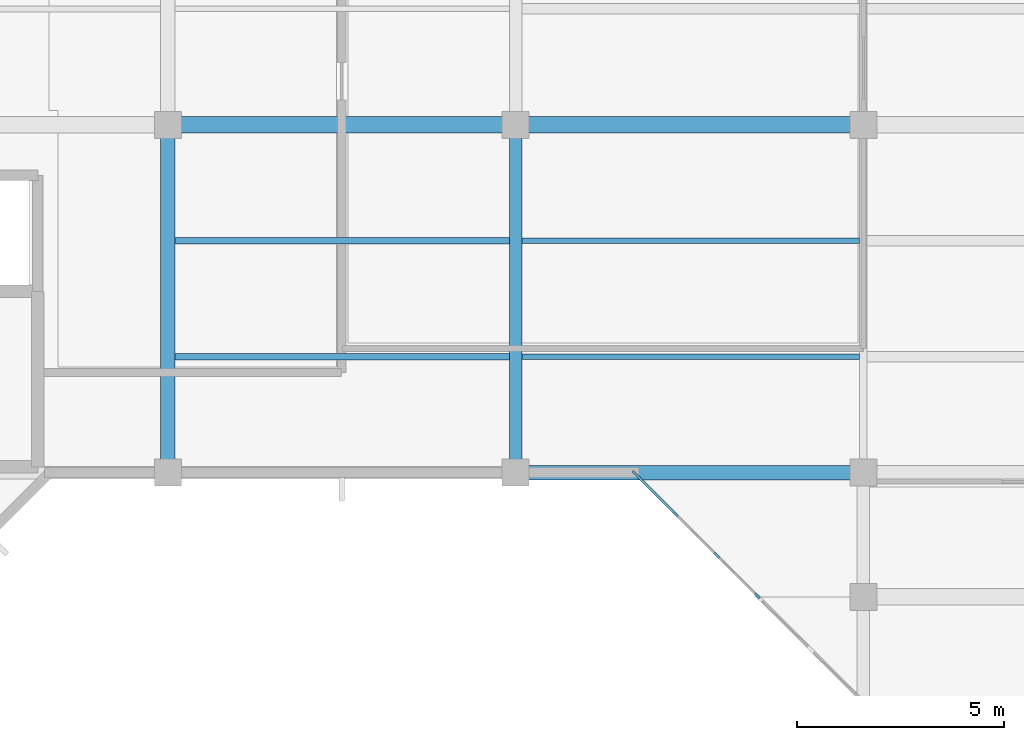
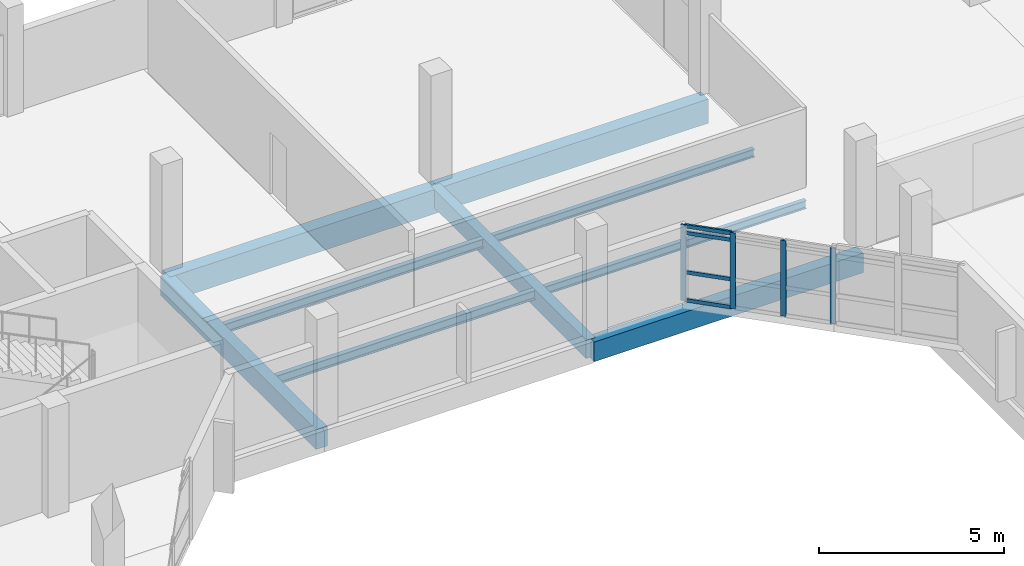
# One storey, part 31 of 104: 9 beams, 8 members, 1 element without a shape of its own.
"""IFC4 building model written with IfcOpenShell, lengths in metres."""

from ifc_helpers import new_model, si_unit, direction, frame, origin, origin_2d, place, context, subcontext, project, spatial, rectangle, i_section, extrude, material, material_profile, profile_set, type_object, element, aggregate, save


model = new_model("IFC4")

# Units and contexts
model_context = context("Model", 3, precision=1e-05, world=origin(), true_north=direction((0.0, 1.0)))
body_context = subcontext(model_context, "Body", "Model", "MODEL_VIEW")
ifc_project = project(units=[si_unit("LENGTHUNIT", "METRE"), si_unit("AREAUNIT", "SQUARE_METRE"), si_unit("VOLUMEUNIT", "CUBIC_METRE"), si_unit("PLANEANGLEUNIT", "RADIAN"), si_unit("MASSUNIT", "GRAM", prefix="KILO")], contexts=[model_context])

# Site, building, storey
site_placement = place(None, origin())
site = spatial("IfcSite", under=ifc_project, at=site_placement, CompositionType="ELEMENT")
building_placement = place(site_placement, origin())
building = spatial("IfcBuilding", under=site, at=building_placement, Name="Vanh Quang Courtyard School", CompositionType="ELEMENT")
storey_placement = place(building_placement, frame((0.0, 0.0, 4.199951171875)))
storey = spatial("IfcBuildingStorey", under=building, at=storey_placement, Name="L01", CompositionType="ELEMENT", Elevation=4.199951171875)

# Beams
ifc_material_1 = material(Name="Concrete C35/45", Category="concrete")
ifc_material_profile_1 = material_profile(ifc_material_1, rectangle(XDim=0.300048828125, YDim=0.60009765625, at=origin_2d()), Name="RC-BM 300x600")
ifc_profile_set_1 = profile_set([ifc_material_profile_1], Name="Concrete C35/45")
beam_type_1 = type_object("IfcBeamType", Name="BM-RC-300x600", PredefinedType="BEAM", material=ifc_profile_set_1)
beam_1_placement = place(storey_placement, frame((57.60009765625, 71.39990234375, -0.579833984375), z_axis=(0.0, 1.0, 0.0), x_axis=(-1.0, 0.0, 0.0)))
element("IfcBeam", 1, at=beam_1_placement, inside=storey, type_object=beam_type_1, Name="Beam B-06 (L01)", PredefinedType="BEAM", context=body_context, shape_type="SweptSolid", body=[
    extrude(rectangle(XDim=0.300048828125, YDim=0.60009765625, at=origin_2d()), origin(), (0.0, 0.0, 1.0), 8.400146484375),
])
ifc_material_profile_2 = material_profile(ifc_material_1, rectangle(XDim=0.35009765625, YDim=0.64990234375, at=origin_2d()), Name="RC-BM 350x650")
ifc_profile_set_2 = profile_set([ifc_material_profile_2], Name="Concrete C35/45")
beam_type_2 = type_object("IfcBeamType", Name="BM-RC-350x650", PredefinedType="BEAM", material=ifc_profile_set_2)
beam_2_placement = place(storey_placement, frame((57.60009765625, 71.39990234375, -0.60498046875), z_axis=(1.0, 0.0, 0.0), x_axis=(0.0, 1.0, 0.0)))
element("IfcBeam", 2, at=beam_2_placement, inside=storey, type_object=beam_type_2, Name="Beam B-05 (L01)", PredefinedType="BEAM", context=body_context, shape_type="SweptSolid", body=[
    extrude(rectangle(XDim=0.35009765625, YDim=0.64990234375, at=origin_2d()), origin(), (0.0, 0.0, 1.0), 8.39990234375),
])
beam_3_placement = place(storey_placement, frame((49.199951171875, 71.39990234375, -0.60498046875), z_axis=(0.0, 1.0, 0.0), x_axis=(-1.0, 0.0, 0.0)))
element("IfcBeam", 3, at=beam_3_placement, inside=storey, type_object=beam_type_2, Name="Beam B-05 (L01)", PredefinedType="BEAM", context=body_context, shape_type="SweptSolid", body=[
    extrude(rectangle(XDim=0.35009765625, YDim=0.64990234375, at=origin_2d()), origin(), (0.0, 0.0, 1.0), 8.400146484375),
])
ifc_material_profile_3 = material_profile(ifc_material_1, rectangle(XDim=0.39990234375, YDim=0.800048828125, at=origin_2d()), Name="RC-BM 400x800")
ifc_profile_set_3 = profile_set([ifc_material_profile_3], Name="Concrete C35/45")
beam_type_3 = type_object("IfcBeamType", Name="BM-RC-400x800", PredefinedType="BEAM", material=ifc_profile_set_3)
beam_4_placement = place(storey_placement, frame((49.199951171875, 79.800048828125, -0.679931640625), z_axis=(1.0, 0.0, 0.0), x_axis=(0.0, 1.0, 0.0)))
element("IfcBeam", 4, at=beam_4_placement, inside=storey, type_object=beam_type_3, Name="Beam B-02 (L01)", PredefinedType="BEAM", context=body_context, shape_type="SweptSolid", body=[
    extrude(rectangle(XDim=0.39990234375, YDim=0.800048828125, at=origin_2d()), origin(), (0.0, 0.0, 1.0), 8.400146484375),
])
beam_5_placement = place(storey_placement, frame((57.60009765625, 79.800048828125, -0.679931640625), z_axis=(1.0, 0.0, 0.0), x_axis=(0.0, 1.0, 0.0)))
element("IfcBeam", 5, at=beam_5_placement, inside=storey, type_object=beam_type_3, Name="Beam B-02 (L01)", PredefinedType="BEAM", context=body_context, shape_type="SweptSolid", body=[
    extrude(rectangle(XDim=0.39990234375, YDim=0.800048828125, at=origin_2d()), origin(), (0.0, 0.0, 1.0), 8.39990234375),
])

# Curtain wall, members
ifc_material_2 = material(Name="Thermally broken aluminium unitised curtain wall", Category="aluminium")
curtain_wall_type = type_object("IfcCurtainWallType", Name="CW-SYS-42", PredefinedType="NOTDEFINED", material=ifc_material_2)
curtain_wall_placement = place(storey_placement, origin())
curtain_wall = element("IfcCurtainWall", 6, at=curtain_wall_placement, inside=storey, type_object=curtain_wall_type, Name="Curtain Wall CW-42 (L01)", PredefinedType="NOTDEFINED")
ifc_material_3 = material(Name="Anodised aluminium 6063-T6", Category="aluminium")
ifc_material_profile_4 = material_profile(ifc_material_3, rectangle(XDim=0.06005859375, YDim=0.159912109375, at=origin_2d()), Name="ALU-MUL 60x160")
ifc_profile_set_4 = profile_set([ifc_material_profile_4], Name="Anodised aluminium 6063-T6")
member_type_1 = type_object("IfcMemberType", Name="CW-MUL-60x160", PredefinedType="MULLION", material=ifc_profile_set_4)
member_1_placement = place(storey_placement, frame((63.434814453125, 68.421142578125, 0.0), z_axis=(0.0, 0.0, 1.0), x_axis=(-0.707106781187, -0.707106781187, 0.0)))
member_1 = element("IfcMember", 7, at=member_1_placement, type_object=member_type_1, Name="CW-42 mullion 1", PredefinedType="MULLION", context=body_context, shape_type="SweptSolid", body=[
    extrude(rectangle(XDim=0.06005859375, YDim=0.159912109375, at=origin_2d()), origin(), (0.0, 0.0, 1.0), 2.5),
])
member_2_placement = place(storey_placement, frame((62.4560546875, 69.39990234375, 0.0), z_axis=(0.0, 0.0, 1.0), x_axis=(-0.707106781187, -0.707106781187, 0.0)))
member_2 = element("IfcMember", 8, at=member_2_placement, type_object=member_type_1, Name="CW-42 mullion 2", PredefinedType="MULLION", context=body_context, shape_type="SweptSolid", body=[
    extrude(rectangle(XDim=0.06005859375, YDim=0.159912109375, at=origin_2d()), origin(), (0.0, 0.0, 1.0), 2.5),
])
member_3_placement = place(storey_placement, frame((61.4560546875, 70.39990234375, 0.0), z_axis=(0.0, 0.0, 1.0), x_axis=(-0.707106781187, -0.707106781187, 0.0)))
member_3 = element("IfcMember", 9, at=member_3_placement, type_object=member_type_1, Name="CW-42 mullion 3", PredefinedType="MULLION", context=body_context, shape_type="SweptSolid", body=[
    extrude(rectangle(XDim=0.06005859375, YDim=0.159912109375, at=origin_2d()), origin(), (0.0, 0.0, 1.0), 2.5),
])
member_4_placement = place(storey_placement, frame((60.477294921875, 71.37890625, 0.0), z_axis=(0.0, 0.0, 1.0), x_axis=(-0.707106781187, -0.707106781187, 0.0)))
member_4 = element("IfcMember", 10, at=member_4_placement, type_object=member_type_1, Name="CW-42 mullion 4", PredefinedType="MULLION", context=body_context, shape_type="SweptSolid", body=[
    extrude(rectangle(XDim=0.06005859375, YDim=0.159912109375, at=origin_2d()), origin(), (0.0, 0.0, 1.0), 2.5),
])
ifc_material_profile_5 = material_profile(ifc_material_3, rectangle(XDim=0.06005859375, YDim=0.1201171875, at=origin_2d()), Name="ALU-TRN 60x120")
ifc_profile_set_5 = profile_set([ifc_material_profile_5], Name="Anodised aluminium 6063-T6")
member_type_2 = type_object("IfcMemberType", Name="CW-TRN-60x120", PredefinedType="USERDEFINED", material=ifc_profile_set_5)
member_5_placement = place(storey_placement, frame((61.434814453125, 70.421142578125, 0.030029296875), z_axis=(-0.707014595961, 0.707198954395, 0.0), x_axis=(-0.707198954395, -0.707014595961, 0.0)))
member_5 = element("IfcMember", 11, at=member_5_placement, type_object=member_type_2, Name="CW-42 transom 3.1", ObjectType="TRANSOM", PredefinedType="USERDEFINED", context=body_context, shape_type="SweptSolid", body=[
    extrude(rectangle(XDim=0.06005859375, YDim=0.1201171875, at=origin_2d()), origin(), (0.0, 0.0, 1.0), 1.32421875),
])
member_6_placement = place(storey_placement, frame((61.434814453125, 70.421142578125, 0.949951171875), z_axis=(-0.707014595961, 0.707198954395, 0.0), x_axis=(-0.707198954395, -0.707014595961, 0.0)))
member_6 = element("IfcMember", 12, at=member_6_placement, type_object=member_type_2, Name="CW-42 transom 3.2", ObjectType="TRANSOM", PredefinedType="USERDEFINED", context=body_context, shape_type="SweptSolid", body=[
    extrude(rectangle(XDim=0.06005859375, YDim=0.1201171875, at=origin_2d()), origin(), (0.0, 0.0, 1.0), 1.32421875),
])
member_7_placement = place(storey_placement, frame((61.434814453125, 70.421142578125, 2.25), z_axis=(-0.707014595961, 0.707198954395, 0.0), x_axis=(-0.707198954395, -0.707014595961, 0.0)))
member_7 = element("IfcMember", 13, at=member_7_placement, type_object=member_type_2, Name="CW-42 transom 3.3", ObjectType="TRANSOM", PredefinedType="USERDEFINED", context=body_context, shape_type="SweptSolid", body=[
    extrude(rectangle(XDim=0.06005859375, YDim=0.1201171875, at=origin_2d()), origin(), (0.0, 0.0, 1.0), 1.32421875),
])
member_8_placement = place(storey_placement, frame((61.434814453125, 70.421142578125, 2.469970703125), z_axis=(-0.707014595961, 0.707198954395, 0.0), x_axis=(-0.707198954395, -0.707014595961, 0.0)))
member_8 = element("IfcMember", 14, at=member_8_placement, type_object=member_type_2, Name="CW-42 transom 3.4", ObjectType="TRANSOM", PredefinedType="USERDEFINED", context=body_context, shape_type="SweptSolid", body=[
    extrude(rectangle(XDim=0.06005859375, YDim=0.1201171875, at=origin_2d()), origin(), (0.0, 0.0, 1.0), 1.32421875),
])
aggregate(curtain_wall, [member_1, member_2, member_3, member_4, member_5, member_6, member_7, member_8])

# Beams
ifc_material_4 = material(Name="Structural steel EN 10025-2 S355J2", Category="steel")
ifc_material_profile_6 = material_profile(ifc_material_4, i_section(OverallWidth=0.135009765625, OverallDepth=0.27001953125, WebThickness=0.006591796875, FlangeThickness=0.01025390625, FilletRadius=0.014892578125, at=origin_2d()), Name="IPE 270")
ifc_profile_set_6 = profile_set([ifc_material_profile_6], Name="Structural steel EN 10025-2 S355J2")
beam_type_4 = type_object("IfcBeamType", Name="JST-STL-IPE270", PredefinedType="JOIST", material=ifc_profile_set_6)
for number, where, z_axis, x_axis, name in (
    (15, (57.75, 74.199951171875, -0.4150390625), (1.0, 0.0, 0.0), (0.0, 1.0, 0.0), "Beam SJ-03 (L01)"),
    (16, (57.75, 77.0, -0.4150390625), (1.0, 0.0, 0.0), (0.0, 1.0, 0.0), "Beam SJ-03 (L01)"),
):
    element("IfcBeam", number, at=place(storey_placement, frame(where, z_axis=z_axis, x_axis=x_axis)), inside=storey, type_object=beam_type_4, Name=name, PredefinedType="JOIST", context=body_context, shape_type="SweptSolid", body=[
        extrude(i_section(OverallWidth=0.135009765625, OverallDepth=0.27001953125, WebThickness=0.006591796875, FlangeThickness=0.01025390625, FilletRadius=0.014892578125, at=origin_2d()), origin(), (0.0, 0.0, 1.0), 8.159912109375),
    ])
ifc_material_profile_7 = material_profile(ifc_material_4, i_section(OverallWidth=0.14990234375, OverallDepth=0.300048828125, WebThickness=0.007080078125, FlangeThickness=0.0107421875, FilletRadius=0.014892578125, at=origin_2d()), Name="IPE 300")
ifc_profile_set_7 = profile_set([ifc_material_profile_7], Name="Structural steel EN 10025-2 S355J2")
beam_type_5 = type_object("IfcBeamType", Name="JST-STL-IPE300", PredefinedType="JOIST", material=ifc_profile_set_7)
for number, where, z_axis, x_axis, name in (
    (17, (49.375, 74.199951171875, -0.429931640625), (1.0, 0.0, 0.0), (0.0, 1.0, 0.0), "Beam SJ-02 (L01)"),
    (18, (49.375, 77.0, -0.429931640625), (1.0, 0.0, 0.0), (0.0, 1.0, 0.0), "Beam SJ-02 (L01)"),
):
    element("IfcBeam", number, at=place(storey_placement, frame(where, z_axis=z_axis, x_axis=x_axis)), inside=storey, type_object=beam_type_5, Name=name, PredefinedType="JOIST", context=body_context, shape_type="SweptSolid", body=[
        extrude(i_section(OverallWidth=0.14990234375, OverallDepth=0.300048828125, WebThickness=0.007080078125, FlangeThickness=0.0107421875, FilletRadius=0.014892578125, at=origin_2d()), origin(), (0.0, 0.0, 1.0), 8.074951171875),
    ])

save(model, "model.ifc")
